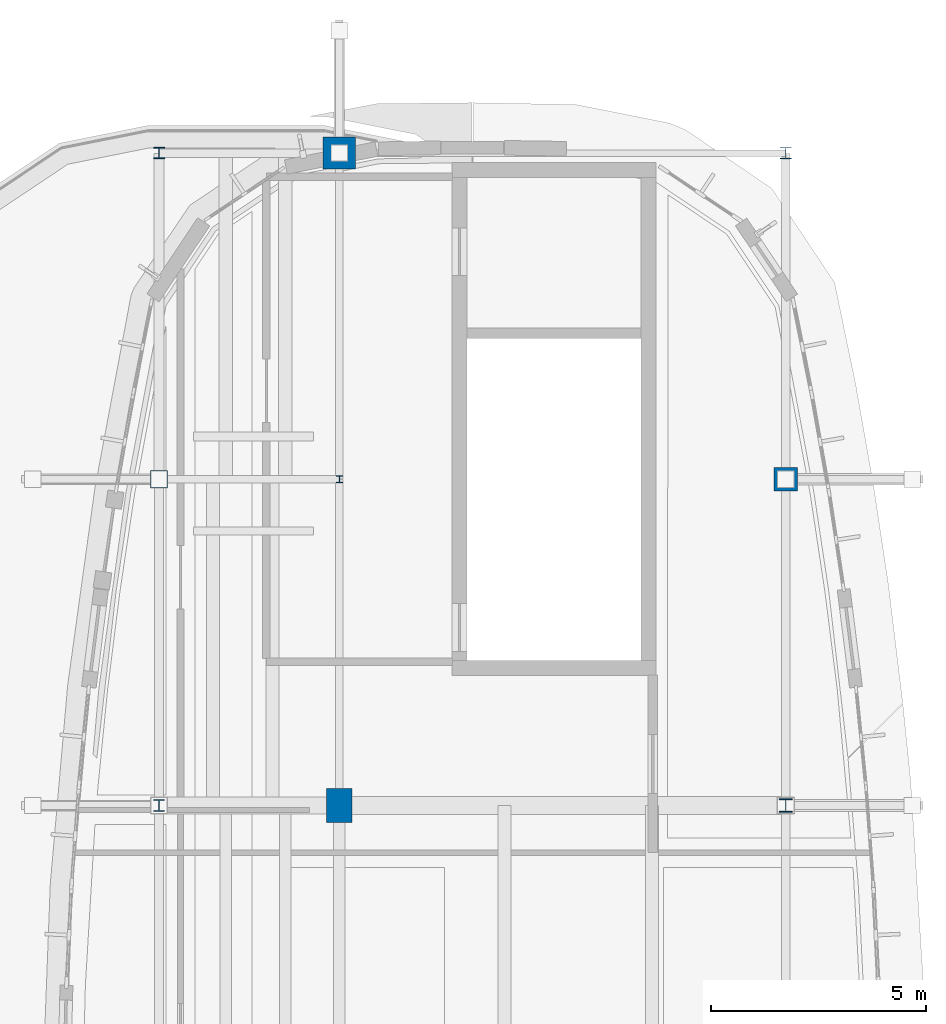
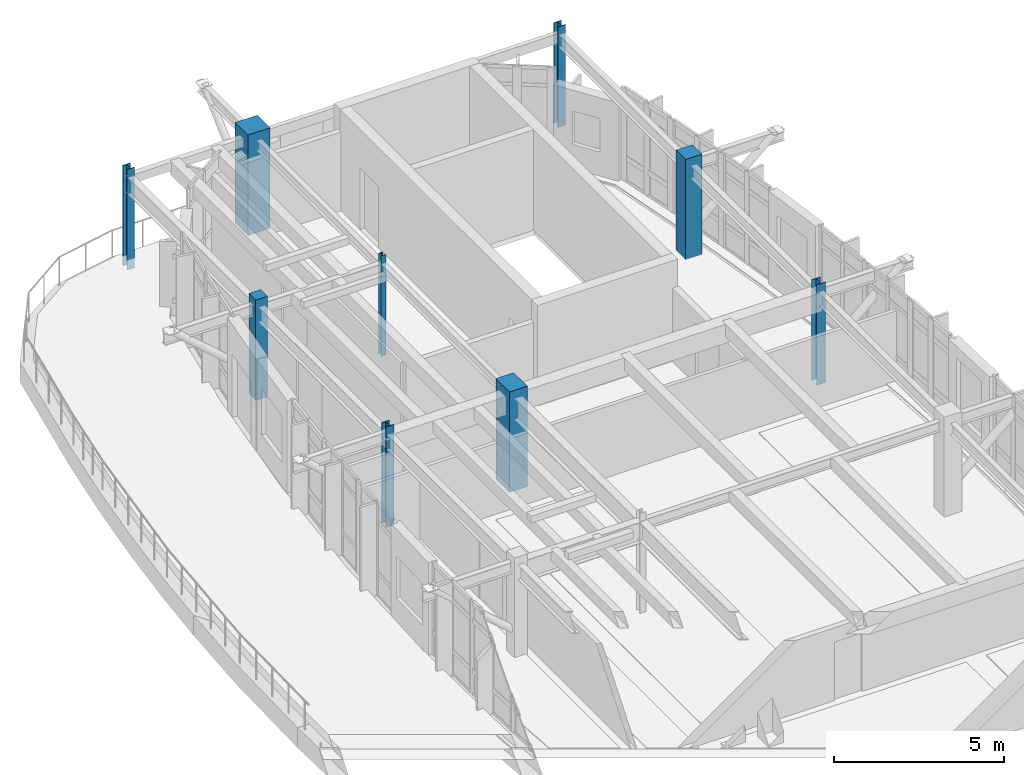
# One storey, part 2 of 20: 9 columns.
"""IFC4 building model written with IfcOpenShell, lengths in metres."""

from ifc_helpers import new_model, si_unit, direction, frame, origin, origin_2d, place, context, subcontext, project, spatial, rectangle, i_section, extrude, material, material_profile, profile_set, type_object, element, save


model = new_model("IFC4")

# Units and contexts
model_context = context("Model", 3, precision=1e-05, world=origin(), true_north=direction((0.0, 1.0)))
body_context = subcontext(model_context, "Body", "Model", "MODEL_VIEW")
ifc_project = project(units=[si_unit("LENGTHUNIT", "METRE"), si_unit("AREAUNIT", "SQUARE_METRE"), si_unit("VOLUMEUNIT", "CUBIC_METRE"), si_unit("PLANEANGLEUNIT", "RADIAN"), si_unit("MASSUNIT", "GRAM", prefix="KILO")], contexts=[model_context])

# Site, building, storey
site_placement = place(None, origin())
site = spatial("IfcSite", under=ifc_project, at=site_placement, CompositionType="ELEMENT")
building_placement = place(site_placement, origin())
building = spatial("IfcBuilding", under=site, at=building_placement, Name="Corveleigh Park Community Centre", CompositionType="ELEMENT")
storey_placement = place(building_placement, frame((0.0, 0.0, 19.800048828125)))
storey = spatial("IfcBuildingStorey", under=building, at=storey_placement, Name="L05", CompositionType="ELEMENT", Elevation=19.800048828125)

# Columns
ifc_material_1 = material(Name="Concrete C40/50", Category="concrete")
ifc_material_profile_1 = material_profile(ifc_material_1, rectangle(XDim=0.39990234375, YDim=0.39990234375, at=origin_2d()), Name="RC-400x400", Category="concrete")
ifc_profile_set_1 = profile_set([ifc_material_profile_1], Name="Concrete C40/50")
column_type_1 = type_object("IfcColumnType", Name="COL-RC-400x400", PredefinedType="COLUMN", material=ifc_profile_set_1)
column_1_placement = place(storey_placement, frame((153.800048828125, 96.60009765625, 0.0), z_axis=(0.0, 0.0, 1.0), x_axis=(1.0, 0.0, 0.0)))
element("IfcColumn", 1, at=column_1_placement, inside=storey, type_object=column_type_1, Name="Column V4-X5Y5 L05", PredefinedType="COLUMN", context=body_context, shape_type="SweptSolid", body=[
    extrude(rectangle(XDim=0.39990234375, YDim=0.39990234375, at=origin_2d()), origin(), (0.0, 0.0, 1.0), 3.599853515625),
])
ifc_material_profile_2 = material_profile(ifc_material_1, rectangle(XDim=0.550048828125, YDim=0.550048828125, at=origin_2d()), Name="RC-550x550", Category="concrete")
ifc_profile_set_2 = profile_set([ifc_material_profile_2], Name="Concrete C40/50")
column_type_2 = type_object("IfcColumnType", Name="COL-RC-550x550", PredefinedType="COLUMN", material=ifc_profile_set_2)
column_2_placement = place(storey_placement, frame((168.39990234375, 96.60009765625, 0.0), z_axis=(0.0, 0.0, 1.0), x_axis=(1.0, 0.0, 0.0)))
element("IfcColumn", 2, at=column_2_placement, inside=storey, type_object=column_type_2, Name="Column V4-X7Y5 L05", PredefinedType="COLUMN", context=body_context, shape_type="SweptSolid", body=[
    extrude(rectangle(XDim=0.550048828125, YDim=0.550048828125, at=origin_2d()), origin(), (0.0, 0.0, 1.0), 3.599853515625),
])
ifc_material_profile_3 = material_profile(ifc_material_1, rectangle(XDim=0.60009765625, YDim=0.800048828125, at=origin_2d()), Name="RC-600x800", Category="concrete")
ifc_profile_set_3 = profile_set([ifc_material_profile_3], Name="Concrete C40/50")
column_type_3 = type_object("IfcColumnType", Name="COL-RC-600x800", PredefinedType="COLUMN", material=ifc_profile_set_3)
column_3_placement = place(storey_placement, frame((158.0, 89.0, 0.0), z_axis=(0.0, 0.0, 1.0), x_axis=(1.0, 0.0, 0.0)))
element("IfcColumn", 3, at=column_3_placement, inside=storey, type_object=column_type_3, Name="Column V4-X6Y4 L05", PredefinedType="COLUMN", context=body_context, shape_type="SweptSolid", body=[
    extrude(rectangle(XDim=0.60009765625, YDim=0.800048828125, at=origin_2d()), origin(), (0.0, 0.0, 1.0), 3.599853515625),
])
ifc_material_profile_4 = material_profile(ifc_material_1, rectangle(XDim=0.75, YDim=0.75, at=origin_2d()), Name="RC-750x750", Category="concrete")
ifc_profile_set_4 = profile_set([ifc_material_profile_4], Name="Concrete C40/50")
column_type_4 = type_object("IfcColumnType", Name="COL-RC-750x750", PredefinedType="COLUMN", material=ifc_profile_set_4)
column_4_placement = place(storey_placement, frame((158.0, 104.199951171875, 0.0), z_axis=(0.0, 0.0, 1.0), x_axis=(1.0, 0.0, 0.0)))
element("IfcColumn", 4, at=column_4_placement, inside=storey, type_object=column_type_4, Name="Column V4-X6Y6 L05", PredefinedType="COLUMN", context=body_context, shape_type="SweptSolid", body=[
    extrude(rectangle(XDim=0.75, YDim=0.75, at=origin_2d()), origin(), (0.0, 0.0, 1.0), 3.599853515625),
])
ifc_material_2 = material(Name="Steel S355", Category="steel")
ifc_material_profile_5 = material_profile(ifc_material_2, i_section(OverallWidth=0.154296875, OverallDepth=0.161865234375, WebThickness=0.008056640625, FlangeThickness=0.011474609375, at=origin_2d()), Name="UKC 152x152x37", Category="steel")
ifc_profile_set_5 = profile_set([ifc_material_profile_5], Name="Steel S355")
column_type_5 = type_object("IfcColumnType", Name="COL-STL-UKC152x37", PredefinedType="COLUMN", material=ifc_profile_set_5)
column_5_placement = place(storey_placement, frame((158.0, 96.60009765625, 0.0), z_axis=(0.0, 0.0, 1.0), x_axis=(1.0, 0.0, 0.0)))
element("IfcColumn", 5, at=column_5_placement, inside=storey, type_object=column_type_5, Name="Column V4-X6Y5 L05", PredefinedType="COLUMN", context=body_context, shape_type="SweptSolid", body=[
    extrude(i_section(OverallWidth=0.154296875, OverallDepth=0.161865234375, WebThickness=0.008056640625, FlangeThickness=0.011474609375, at=origin_2d()), origin(), (0.0, 0.0, 1.0), 3.599853515625),
])
ifc_material_profile_6 = material_profile(ifc_material_2, i_section(OverallWidth=0.2587890625, OverallDepth=0.2666015625, WebThickness=0.0126953125, FlangeThickness=0.0205078125, at=origin_2d()), Name="UKC 254x254x107", Category="steel")
ifc_profile_set_6 = profile_set([ifc_material_profile_6], Name="Steel S355")
column_type_6 = type_object("IfcColumnType", Name="COL-STL-UKC254x107", PredefinedType="COLUMN", material=ifc_profile_set_6)
column_6_placement = place(storey_placement, frame((168.39990234375, 104.199951171875, 0.0), z_axis=(0.0, 0.0, 1.0), x_axis=(1.0, 0.0, 0.0)))
element("IfcColumn", 6, at=column_6_placement, inside=storey, type_object=column_type_6, Name="Column V4-X7Y6 L05", PredefinedType="COLUMN", context=body_context, shape_type="SweptSolid", body=[
    extrude(i_section(OverallWidth=0.2587890625, OverallDepth=0.2666015625, WebThickness=0.0126953125, FlangeThickness=0.0205078125, at=origin_2d()), origin(), (0.0, 0.0, 1.0), 3.599853515625),
])
ifc_material_profile_7 = material_profile(ifc_material_2, i_section(OverallWidth=0.26123046875, OverallDepth=0.2763671875, WebThickness=0.015380859375, FlangeThickness=0.025390625, at=origin_2d()), Name="UKC 254x254x132", Category="steel")
ifc_profile_set_7 = profile_set([ifc_material_profile_7], Name="Steel S355")
column_type_7 = type_object("IfcColumnType", Name="COL-STL-UKC254x132", PredefinedType="COLUMN", material=ifc_profile_set_7)
column_7_placement = place(storey_placement, frame((153.800048828125, 89.0, 0.0), z_axis=(0.0, 0.0, 1.0), x_axis=(1.0, 0.0, 0.0)))
element("IfcColumn", 7, at=column_7_placement, inside=storey, type_object=column_type_7, Name="Column V4-X5Y4 L05", PredefinedType="COLUMN", context=body_context, shape_type="SweptSolid", body=[
    extrude(i_section(OverallWidth=0.26123046875, OverallDepth=0.2763671875, WebThickness=0.015380859375, FlangeThickness=0.025390625, at=origin_2d()), origin(), (0.0, 0.0, 1.0), 3.599853515625),
])
ifc_material_profile_8 = material_profile(ifc_material_2, i_section(OverallWidth=0.25634765625, OverallDepth=0.26025390625, WebThickness=0.01025390625, FlangeThickness=0.017333984375, at=origin_2d()), Name="UKC 254x254x89", Category="steel")
ifc_profile_set_8 = profile_set([ifc_material_profile_8], Name="Steel S355")
column_type_8 = type_object("IfcColumnType", Name="COL-STL-UKC254x89", PredefinedType="COLUMN", material=ifc_profile_set_8)
column_8_placement = place(storey_placement, frame((153.800048828125, 104.199951171875, 0.0), z_axis=(0.0, 0.0, 1.0), x_axis=(1.0, 0.0, 0.0)))
element("IfcColumn", 8, at=column_8_placement, inside=storey, type_object=column_type_8, Name="Column V4-X5Y6 L05", PredefinedType="COLUMN", context=body_context, shape_type="SweptSolid", body=[
    extrude(i_section(OverallWidth=0.25634765625, OverallDepth=0.26025390625, WebThickness=0.01025390625, FlangeThickness=0.017333984375, at=origin_2d()), origin(), (0.0, 0.0, 1.0), 3.599853515625),
])
ifc_material_profile_9 = material_profile(ifc_material_2, i_section(OverallWidth=0.305419921875, OverallDepth=0.307861328125, WebThickness=0.010009765625, FlangeThickness=0.015380859375, at=origin_2d()), Name="UKC 305x305x97", Category="steel")
ifc_profile_set_9 = profile_set([ifc_material_profile_9], Name="Steel S355")
column_type_9 = type_object("IfcColumnType", Name="COL-STL-UKC305x97", PredefinedType="COLUMN", material=ifc_profile_set_9)
column_9_placement = place(storey_placement, frame((168.39990234375, 89.0, 0.0), z_axis=(0.0, 0.0, 1.0), x_axis=(1.0, 0.0, 0.0)))
element("IfcColumn", 9, at=column_9_placement, inside=storey, type_object=column_type_9, Name="Column V4-X7Y4 L05", PredefinedType="COLUMN", context=body_context, shape_type="SweptSolid", body=[
    extrude(i_section(OverallWidth=0.305419921875, OverallDepth=0.307861328125, WebThickness=0.010009765625, FlangeThickness=0.015380859375, at=origin_2d()), origin(), (0.0, 0.0, 1.0), 3.599853515625),
])

save(model, "model.ifc")
